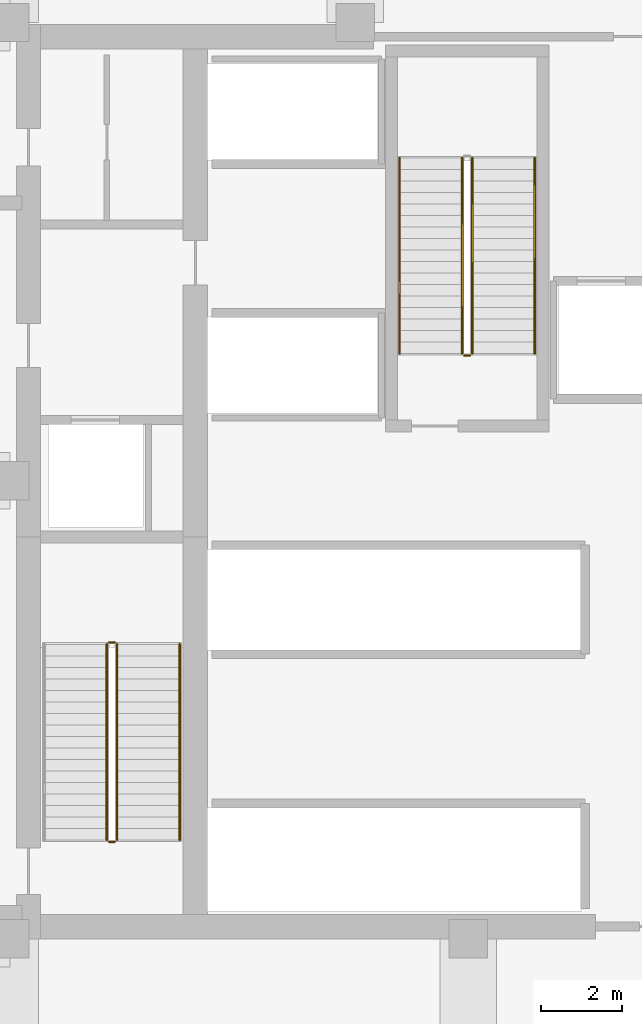
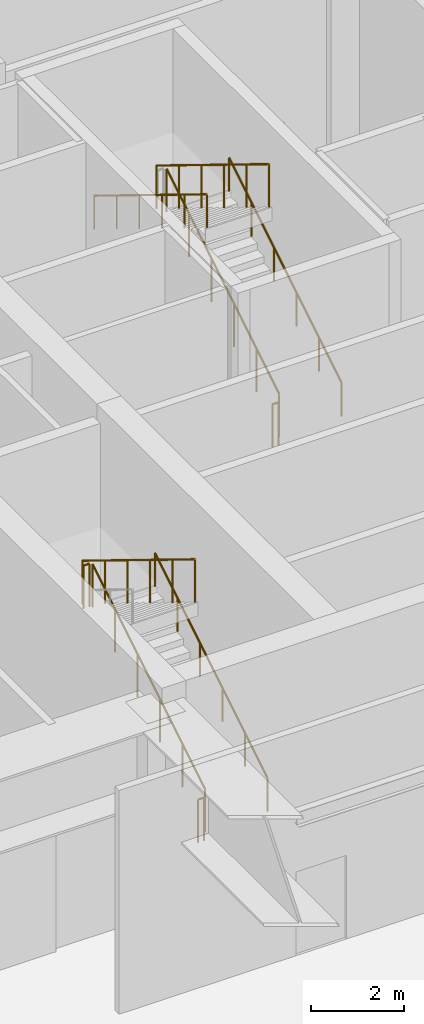
# One storey, part 8 of 12: 10 railings.
"""IFC4 building model written with IfcOpenShell, lengths in metres."""

import ifcopenshell
import ifcopenshell.guid

model = None  # the IFC model being written
_history = None  # IfcOwnerHistory: only IFC2X3 demands one
_inside = {}  # id of a spatial element -> (the spatial element, [elements in it])
_under = {}  # id of a project, library or spatial element -> (it, [spatial elements below it])
_declared = {}  # id of a project -> (the project, [libraries it declares])
_typed = {}  # id of a type object -> (the type object, [elements of that type])
_made_of = {}  # id of a material, layer set ... -> (it, [elements and type objects made of it])


def new_model(schema):
    """Start an empty IFC model of exactly this schema.

    Asked for "IFC4X3", IfcOpenShell would pick the latest addendum, in which some entities
    have other attributes; the version numbers below select the first issue.
    IFC2X3 requires an IfcOwnerHistory on every rooted entity: one is made here for all.
    """
    global model, _history
    if schema == "IFC4X3":
        model = ifcopenshell.file(schema_version=(4, 3, 0, 0))
    else:
        model = ifcopenshell.file(schema=schema)
    _inside.clear()
    _under.clear()
    _declared.clear()
    _typed.clear()
    _made_of.clear()
    _history = None
    if model.schema == "IFC2X3":
        org = make("IfcOrganization", Name="unknown")
        user = make(
            "IfcPersonAndOrganization",
            ThePerson=make("IfcPerson", FamilyName="unknown"),
            TheOrganization=org,
        )
        app = make(
            "IfcApplication",
            ApplicationDeveloper=org,
            Version="unknown",
            ApplicationFullName="unknown",
            ApplicationIdentifier="unknown",
        )
        _history = make(
            "IfcOwnerHistory",
            OwningUser=user,
            OwningApplication=app,
            ChangeAction="ADDED",
            CreationDate=0,
        )
    return model


def make(cls, **values):
    """One entity of the class cls with the attributes given. An attribute that is None is left unset."""
    return model.create_entity(
        cls, **{name: value for name, value in values.items() if value is not None}
    )


def rooted(cls, **values):
    """An entity with a GlobalId (a new one), such as an element, a storey or a relation."""
    return make(cls, GlobalId=ifcopenshell.guid.new(), OwnerHistory=_history, **values)


def si_unit(unit_type, name, prefix=None):
    """IfcSIUnit, for example si_unit("LENGTHUNIT", "METRE", prefix="MILLI")."""
    return make("IfcSIUnit", UnitType=unit_type, Prefix=prefix, Name=name)


def assignment(units):
    """IfcUnitAssignment: the units of a project."""
    return None if units is None else make("IfcUnitAssignment", Units=units)


def point(xyz):
    """IfcCartesianPoint."""
    return None if xyz is None else make("IfcCartesianPoint", Coordinates=xyz)


def direction(xyz):
    """IfcDirection."""
    return None if xyz is None else make("IfcDirection", DirectionRatios=xyz)


def frame(location, z_axis=None, x_axis=None):
    """IfcAxis2Placement3D, a coordinate frame: its origin and axes. An axis left out is left unset."""
    return make(
        "IfcAxis2Placement3D",
        Location=point(location),
        Axis=direction(z_axis),
        RefDirection=direction(x_axis),
    )


def frame_2d(location, x_axis=None):
    """IfcAxis2Placement2D, a coordinate frame in the plane: its origin and x axis."""
    return make(
        "IfcAxis2Placement2D", Location=point(location), RefDirection=direction(x_axis)
    )


def origin():
    """The frame at (0, 0, 0) with its axes left unset."""
    return frame((0.0, 0.0, 0.0))


def origin_2d():
    """The frame at (0, 0) in the plane with its x axis left unset."""
    return frame_2d((0.0, 0.0))


def place(relative_to, where):
    """IfcLocalPlacement: puts the frame where relative to a parent placement (None: the world)."""
    return make(
        "IfcLocalPlacement", PlacementRelTo=relative_to, RelativePlacement=where
    )


def context(
    kind, dimensions, precision=None, world=None, true_north=None, identifier=None
):
    """IfcGeometricRepresentationContext, for example the 3D "Model" context."""
    return make(
        "IfcGeometricRepresentationContext",
        ContextIdentifier=identifier,
        ContextType=kind,
        CoordinateSpaceDimension=dimensions,
        Precision=precision,
        WorldCoordinateSystem=world,
        TrueNorth=true_north,
    )


def subcontext(parent, identifier, kind, view, scale=None):
    """IfcGeometricRepresentationSubContext, for example "Body" below "Model"."""
    return make(
        "IfcGeometricRepresentationSubContext",
        ContextIdentifier=identifier,
        ContextType=kind,
        ParentContext=parent,
        TargetScale=scale,
        TargetView=view,
    )


def project(units=None, contexts=None):
    """IfcProject with its units and contexts."""
    return rooted(
        "IfcProject",
        Name="project",
        RepresentationContexts=contexts,
        UnitsInContext=assignment(units),
    )


def spatial(cls, under=None, at=None, **own):
    """A site, building, storey or space (cls), placed at a placement, below another one or the project."""
    s = rooted(cls, ObjectPlacement=at, **own)
    if under is not None:
        _under.setdefault(under.id(), (under, []))[1].append(s)
    return s


def profile(cls, at=None, kind="AREA", **sizes):
    """A parametric profile (cls). Its sizes go by their IFC names, for example OverallWidth=200.0."""
    return make(cls, ProfileType=kind, Position=at, **sizes)


def circle(**sizes):
    """IfcCircleProfileDef."""
    return profile("IfcCircleProfileDef", **sizes)


def extrude(swept, where, along, depth):
    """IfcExtrudedAreaSolid: the profile swept, set in the frame where, extruded along a direction by depth."""
    return make(
        "IfcExtrudedAreaSolid",
        SweptArea=swept,
        Position=where,
        ExtrudedDirection=direction(along),
        Depth=depth,
    )


def shape(context_of_items, identifier, shape_type, items):
    """IfcShapeRepresentation: the items that make up one representation, for example the "Body"."""
    return make(
        "IfcShapeRepresentation",
        ContextOfItems=context_of_items,
        RepresentationIdentifier=identifier,
        RepresentationType=shape_type,
        Items=items,
    )


def material(Name=None, Category=None):
    """IfcMaterial."""
    return make("IfcMaterial", Name=Name, Category=Category)


def made_of(thing, what):
    """Note that an element or type object is made of a material, layer set ...; save() writes the relation."""
    if what is not None:
        _made_of.setdefault(what.id(), (what, []))[1].append(thing)
    return thing


def type_object(cls, material=None, **own):
    """A type object (cls), such as IfcWallType, which elements share."""
    return made_of(rooted(cls, **own), material)


def element(
    cls,
    number,
    at=None,
    inside=None,
    cuts=None,
    type_object=None,
    material=None,
    context=None,
    identifier="Body",
    shape_type=None,
    held_by="IfcProductDefinitionShape",
    body=None,
    shapes=None,
    **own,
):
    """One element of the class cls, such as IfcWall. Its Tag is "e" and its number.

    at: its placement. inside: the storey or other place that contains it. cuts: it is an
    opening in that element (IfcRelVoidsElement). A single representation is given by context,
    identifier, shape_type and body (its items); several are given by shapes. held_by: the class
    of the entity that holds the representations. save() writes the other relations.
    """
    e = rooted(cls, Tag="e%d" % number, ObjectPlacement=at, **own)
    if body is not None:
        shapes = [shape(context, identifier, shape_type, body)]
    if shapes is not None:
        e.Representation = make(held_by, Representations=shapes)
    if inside is not None:
        _inside.setdefault(inside.id(), (inside, []))[1].append(e)
    if cuts is not None:
        rooted(
            "IfcRelVoidsElement", RelatingBuildingElement=cuts, RelatedOpeningElement=e
        )
    if type_object is not None:
        _typed.setdefault(type_object.id(), (type_object, []))[1].append(e)
    return made_of(e, material)


def aggregate(whole, parts):
    """IfcRelAggregates: a whole, such as a stair, and the parts it consists of."""
    return rooted("IfcRelAggregates", RelatingObject=whole, RelatedObjects=parts)


def save(model, path):
    """Write the relations noted so far, then the file.

    IfcRelAggregates (storeys below a building ...), IfcRelContainedInSpatialStructure (elements
    in a storey), IfcRelDefinesByType, IfcRelAssociatesMaterial and IfcRelDeclares: one each for
    every whole, place, type object, material and project.
    """
    for whole, parts in _under.values():
        aggregate(whole, parts)
    for where, things in _inside.values():
        rooted(
            "IfcRelContainedInSpatialStructure",
            RelatedElements=things,
            RelatingStructure=where,
        )
    for kind, things in _typed.values():
        rooted("IfcRelDefinesByType", RelatedObjects=things, RelatingType=kind)
    for what, things in _made_of.values():
        rooted("IfcRelAssociatesMaterial", RelatedObjects=things, RelatingMaterial=what)
    for by, libraries in _declared.values():
        rooted("IfcRelDeclares", RelatingContext=by, RelatedDefinitions=libraries)
    model.write(path)


model = new_model("IFC4")

# Units and contexts
model_context = context("Model", 3, precision=1e-05, world=origin(), true_north=direction((0.0, 1.0)))
body_context = subcontext(model_context, "Body", "Model", "MODEL_VIEW")
ifc_project = project(units=[si_unit("LENGTHUNIT", "METRE"), si_unit("AREAUNIT", "SQUARE_METRE"), si_unit("VOLUMEUNIT", "CUBIC_METRE"), si_unit("PLANEANGLEUNIT", "RADIAN"), si_unit("MASSUNIT", "GRAM", prefix="KILO")], contexts=[model_context])

# Site, building, storey
site_placement = place(None, origin())
site = spatial("IfcSite", under=ifc_project, at=site_placement, CompositionType="ELEMENT")
building_placement = place(site_placement, origin())
building = spatial("IfcBuilding", under=site, at=building_placement, Name="Nhamokura Convention Tower", CompositionType="ELEMENT")
storey_placement = place(building_placement, frame((0.0, 0.0, 176.050048828125)))
storey = spatial("IfcBuildingStorey", under=building, at=storey_placement, Name="L43", CompositionType="ELEMENT", Elevation=176.050048828125)

# Railings
ifc_material_1 = material(Name="Anodised bronze stainless steel", Category="steel")
railing_type_1 = type_object("IfcRailingType", Name="StairWallHandrail_900", PredefinedType="HANDRAIL", material=ifc_material_1)
railing_1_placement = place(storey_placement, frame((24.85009765625, 23.10009765625, 0.175048828125)))
element("IfcRailing", 1, at=railing_1_placement, inside=storey, type_object=railing_type_1, Name="L43 ST-01 stair handrail 1", PredefinedType="HANDRAIL", context=body_context, shape_type="SweptSolid", body=[
    extrude(circle(Radius=0.02392578125, at=origin_2d()), frame((0.0, 0.0, 0.8759765625), z_axis=(0.0, 0.852181303558, 0.523246620502), x_axis=(-1.0, 0.0, 0.0)), (0.0, 0.0, 1.0), 5.685302734375),
    extrude(circle(Radius=0.02099609375, at=origin_2d()), origin(), (0.0, 0.0, 1.0), 0.851806640625),
    extrude(circle(Radius=0.02099609375, at=origin_2d()), frame((0.0, 0.968994140625, 0.594970703125)), (0.0, 0.0, 1.0), 0.851806640625),
    extrude(circle(Radius=0.02099609375, at=origin_2d()), frame((0.0, 1.93798828125, 1.18994140625)), (0.0, 0.0, 1.0), 0.851806640625),
    extrude(circle(Radius=0.02099609375, at=origin_2d()), frame((0.0, 2.906982421875, 1.784912109375)), (0.0, 0.0, 1.0), 0.851806640625),
    extrude(circle(Radius=0.02099609375, at=origin_2d()), frame((0.0, 3.8759765625, 2.3798828125)), (0.0, 0.0, 1.0), 0.851806640625),
    extrude(circle(Radius=0.02099609375, at=origin_2d()), frame((0.0, 4.844970703125, 2.974853515625)), (0.0, 0.0, 1.0), 0.851806640625),
])
railing_2_placement = place(storey_placement, frame((33.64990234375, 35.14990234375, 0.175048828125)))
element("IfcRailing", 2, at=railing_2_placement, inside=storey, type_object=railing_type_1, Name="L43 ST-03 stair handrail 1", PredefinedType="HANDRAIL", context=body_context, shape_type="SweptSolid", body=[
    extrude(circle(Radius=0.02392578125, at=origin_2d()), frame((0.0, 0.0, 0.8759765625), z_axis=(0.0, 0.852193059838, 0.52322747325), x_axis=(-1.0, 0.0, 0.0)), (0.0, 0.0, 1.0), 5.685546875),
    extrude(circle(Radius=0.02099609375, at=origin_2d()), origin(), (0.0, 0.0, 1.0), 0.851806640625),
    extrude(circle(Radius=0.02099609375, at=origin_2d()), frame((0.0, 0.968994140625, 0.594970703125)), (0.0, 0.0, 1.0), 0.851806640625),
    extrude(circle(Radius=0.02099609375, at=origin_2d()), frame((0.0, 1.93798828125, 1.18994140625)), (0.0, 0.0, 1.0), 0.851806640625),
    extrude(circle(Radius=0.02099609375, at=origin_2d()), frame((0.0, 2.9072265625, 1.784912109375)), (0.0, 0.0, 1.0), 0.851806640625),
    extrude(circle(Radius=0.02099609375, at=origin_2d()), frame((0.0, 3.876220703125, 2.3798828125)), (0.0, 0.0, 1.0), 0.851806640625),
    extrude(circle(Radius=0.02099609375, at=origin_2d()), frame((0.0, 4.84521484375, 2.974853515625)), (0.0, 0.0, 1.0), 0.851806640625),
])
railing_3_placement = place(storey_placement, frame((30.300048828125, 39.9951171875, 3.324951171875)))
element("IfcRailing", 3, at=railing_3_placement, inside=storey, type_object=railing_type_1, Name="L43 ST-03 stair handrail 2", PredefinedType="HANDRAIL", context=body_context, shape_type="SweptSolid", body=[
    extrude(circle(Radius=0.02392578125, at=origin_2d()), frame((0.0, 0.0, 0.8759765625), z_axis=(0.0, -0.852173913015, 0.523258656858), x_axis=(1.0, 0.0, 0.0)), (0.0, 0.0, 1.0), 5.685791015625),
    extrude(circle(Radius=0.02099609375, at=origin_2d()), origin(), (0.0, 0.0, 1.0), 0.851806640625),
    extrude(circle(Radius=0.02099609375, at=origin_2d()), frame((0.0, -0.968994140625, 0.594970703125)), (0.0, 0.0, 1.0), 0.851806640625),
    extrude(circle(Radius=0.02099609375, at=origin_2d()), frame((0.0, -1.93798828125, 1.18994140625)), (0.0, 0.0, 1.0), 0.851806640625),
    extrude(circle(Radius=0.02099609375, at=origin_2d()), frame((0.0, -2.9072265625, 1.78515625)), (0.0, 0.0, 1.0), 0.851806640625),
    extrude(circle(Radius=0.02099609375, at=origin_2d()), frame((0.0, -3.876220703125, 2.380126953125)), (0.0, 0.0, 1.0), 0.851806640625),
    extrude(circle(Radius=0.02099609375, at=origin_2d()), frame((0.0, -4.84521484375, 2.97509765625)), (0.0, 0.0, 1.0), 0.851806640625),
])
ifc_material_2 = material(Name="Painted tubular steel", Category="steel")
railing_type_2 = type_object("IfcRailingType", Name="StairWellGuardrail_1150", PredefinedType="GUARDRAIL", material=ifc_material_2)
railing_4_placement = place(storey_placement, frame((23.300048828125, 23.10009765625, 0.175048828125)))
element("IfcRailing", 4, at=railing_4_placement, inside=storey, type_object=railing_type_2, Name="L43 ST-01 stair guard 1", PredefinedType="GUARDRAIL", context=body_context, shape_type="SweptSolid", body=[
    extrude(circle(Radius=0.02392578125, at=origin_2d()), frame((0.0, 0.0, 1.1259765625), z_axis=(0.0, 0.852181303558, 0.523246620502), x_axis=(-1.0, 0.0, 0.0)), (0.0, 0.0, 1.0), 5.685302734375),
    extrude(circle(Radius=0.02099609375, at=origin_2d()), origin(), (0.0, 0.0, 1.0), 1.101806640625),
    extrude(circle(Radius=0.02099609375, at=origin_2d()), frame((0.0, 0.968994140625, 0.594970703125)), (0.0, 0.0, 1.0), 1.101806640625),
    extrude(circle(Radius=0.02099609375, at=origin_2d()), frame((0.0, 1.93798828125, 1.18994140625)), (0.0, 0.0, 1.0), 1.101806640625),
    extrude(circle(Radius=0.02099609375, at=origin_2d()), frame((0.0, 2.906982421875, 1.784912109375)), (0.0, 0.0, 1.0), 1.101806640625),
    extrude(circle(Radius=0.02099609375, at=origin_2d()), frame((0.0, 3.8759765625, 2.3798828125)), (0.0, 0.0, 1.0), 1.101806640625),
    extrude(circle(Radius=0.02099609375, at=origin_2d()), frame((0.0, 4.844970703125, 2.974853515625)), (0.0, 0.0, 1.0), 1.101806640625),
])
railing_5_placement = place(storey_placement, frame((23.25, 27.9951171875, 3.14990234375)))
element("IfcRailing", 5, at=railing_5_placement, inside=storey, type_object=railing_type_2, Name="L43 ST-01 stair guard 2", PredefinedType="GUARDRAIL", context=body_context, shape_type="SweptSolid", body=[
    extrude(circle(Radius=0.02392578125, at=origin_2d()), frame((0.0, 0.0, 1.1259765625), z_axis=(-1.0, 0.0, 0.0), x_axis=(0.0, -1.0, 0.0)), (0.0, 0.0, 1.0), 0.14990234375),
    extrude(circle(Radius=0.02099609375, at=origin_2d()), origin(), (0.0, 0.0, 1.0), 1.101806640625),
    extrude(circle(Radius=0.02099609375, at=origin_2d()), frame((-0.14990234375, 0.0, 0.0)), (0.0, 0.0, 1.0), 1.101806640625),
])
railing_6_placement = place(storey_placement, frame((23.050048828125, 27.945068359375, 3.324951171875)))
element("IfcRailing", 6, at=railing_6_placement, inside=storey, type_object=railing_type_2, Name="L43 ST-01 stair guard 3", PredefinedType="GUARDRAIL", context=body_context, shape_type="SweptSolid", body=[
    extrude(circle(Radius=0.02392578125, at=origin_2d()), frame((0.0, 0.0, 1.1259765625), z_axis=(0.0, -0.852162155598, 0.52327780439), x_axis=(1.0, 0.0, 0.0)), (0.0, 0.0, 1.0), 5.685546875),
    extrude(circle(Radius=0.02099609375, at=origin_2d()), origin(), (0.0, 0.0, 1.0), 1.101806640625),
    extrude(circle(Radius=0.02099609375, at=origin_2d()), frame((0.0, -0.968994140625, 0.594970703125)), (0.0, 0.0, 1.0), 1.101806640625),
    extrude(circle(Radius=0.02099609375, at=origin_2d()), frame((0.0, -1.93798828125, 1.18994140625)), (0.0, 0.0, 1.0), 1.101806640625),
    extrude(circle(Radius=0.02099609375, at=origin_2d()), frame((0.0, -2.906982421875, 1.78515625)), (0.0, 0.0, 1.0), 1.101806640625),
    extrude(circle(Radius=0.02099609375, at=origin_2d()), frame((0.0, -3.8759765625, 2.380126953125)), (0.0, 0.0, 1.0), 1.101806640625),
    extrude(circle(Radius=0.02099609375, at=origin_2d()), frame((0.0, -4.844970703125, 2.97509765625)), (0.0, 0.0, 1.0), 1.101806640625),
])
railing_7_placement = place(storey_placement, frame((23.25, 23.050048828125, 0.0)))
element("IfcRailing", 7, at=railing_7_placement, inside=storey, type_object=railing_type_2, Name="L43 ST-01 stair guard 4", PredefinedType="GUARDRAIL", context=body_context, shape_type="SweptSolid", body=[
    extrude(circle(Radius=0.02392578125, at=origin_2d()), frame((0.0, 0.0, 1.1259765625), z_axis=(-1.0, 0.0, 0.0), x_axis=(0.0, -1.0, 0.0)), (0.0, 0.0, 1.0), 0.14990234375),
    extrude(circle(Radius=0.02099609375, at=origin_2d()), origin(), (0.0, 0.0, 1.0), 1.101806640625),
    extrude(circle(Radius=0.02099609375, at=origin_2d()), frame((-0.14990234375, 0.0, 0.0)), (0.0, 0.0, 1.0), 1.101806640625),
])
railing_8_placement = place(storey_placement, frame((32.10009765625, 35.14990234375, 0.175048828125)))
element("IfcRailing", 8, at=railing_8_placement, inside=storey, type_object=railing_type_2, Name="L43 ST-03 stair guard 1", PredefinedType="GUARDRAIL", context=body_context, shape_type="SweptSolid", body=[
    extrude(circle(Radius=0.02392578125, at=origin_2d()), frame((0.0, 0.0, 1.1259765625), z_axis=(0.0, 0.852193059838, 0.52322747325), x_axis=(-1.0, 0.0, 0.0)), (0.0, 0.0, 1.0), 5.685546875),
    extrude(circle(Radius=0.02099609375, at=origin_2d()), origin(), (0.0, 0.0, 1.0), 1.101806640625),
    extrude(circle(Radius=0.02099609375, at=origin_2d()), frame((0.0, 0.968994140625, 0.594970703125)), (0.0, 0.0, 1.0), 1.101806640625),
    extrude(circle(Radius=0.02099609375, at=origin_2d()), frame((0.0, 1.93798828125, 1.18994140625)), (0.0, 0.0, 1.0), 1.101806640625),
    extrude(circle(Radius=0.02099609375, at=origin_2d()), frame((0.0, 2.9072265625, 1.784912109375)), (0.0, 0.0, 1.0), 1.101806640625),
    extrude(circle(Radius=0.02099609375, at=origin_2d()), frame((0.0, 3.876220703125, 2.3798828125)), (0.0, 0.0, 1.0), 1.101806640625),
    extrude(circle(Radius=0.02099609375, at=origin_2d()), frame((0.0, 4.84521484375, 2.974853515625)), (0.0, 0.0, 1.0), 1.101806640625),
])
railing_9_placement = place(storey_placement, frame((31.85009765625, 39.9951171875, 3.324951171875)))
element("IfcRailing", 9, at=railing_9_placement, inside=storey, type_object=railing_type_2, Name="L43 ST-03 stair guard 3", PredefinedType="GUARDRAIL", context=body_context, shape_type="SweptSolid", body=[
    extrude(circle(Radius=0.02392578125, at=origin_2d()), frame((0.0, 0.0, 1.1259765625), z_axis=(0.0, -0.852173913015, 0.523258656858), x_axis=(1.0, 0.0, 0.0)), (0.0, 0.0, 1.0), 5.685791015625),
    extrude(circle(Radius=0.02099609375, at=origin_2d()), origin(), (0.0, 0.0, 1.0), 1.101806640625),
    extrude(circle(Radius=0.02099609375, at=origin_2d()), frame((0.0, -0.968994140625, 0.594970703125)), (0.0, 0.0, 1.0), 1.101806640625),
    extrude(circle(Radius=0.02099609375, at=origin_2d()), frame((0.0, -1.93798828125, 1.18994140625)), (0.0, 0.0, 1.0), 1.101806640625),
    extrude(circle(Radius=0.02099609375, at=origin_2d()), frame((0.0, -2.9072265625, 1.78515625)), (0.0, 0.0, 1.0), 1.101806640625),
    extrude(circle(Radius=0.02099609375, at=origin_2d()), frame((0.0, -3.876220703125, 2.380126953125)), (0.0, 0.0, 1.0), 1.101806640625),
    extrude(circle(Radius=0.02099609375, at=origin_2d()), frame((0.0, -4.84521484375, 2.97509765625)), (0.0, 0.0, 1.0), 1.101806640625),
])
railing_10_placement = place(storey_placement, frame((32.050048828125, 35.10009765625, 0.0)))
element("IfcRailing", 10, at=railing_10_placement, inside=storey, type_object=railing_type_2, Name="L43 ST-03 stair guard 4", PredefinedType="GUARDRAIL", context=body_context, shape_type="SweptSolid", body=[
    extrude(circle(Radius=0.02392578125, at=origin_2d()), frame((0.0, 0.0, 1.1259765625), z_axis=(-1.0, 0.0, 0.0), x_axis=(0.0, -1.0, 0.0)), (0.0, 0.0, 1.0), 0.150146484375),
    extrude(circle(Radius=0.02099609375, at=origin_2d()), origin(), (0.0, 0.0, 1.0), 1.101806640625),
    extrude(circle(Radius=0.02099609375, at=origin_2d()), frame((-0.150146484375, 0.0, 0.0)), (0.0, 0.0, 1.0), 1.101806640625),
])

save(model, "model.ifc")
